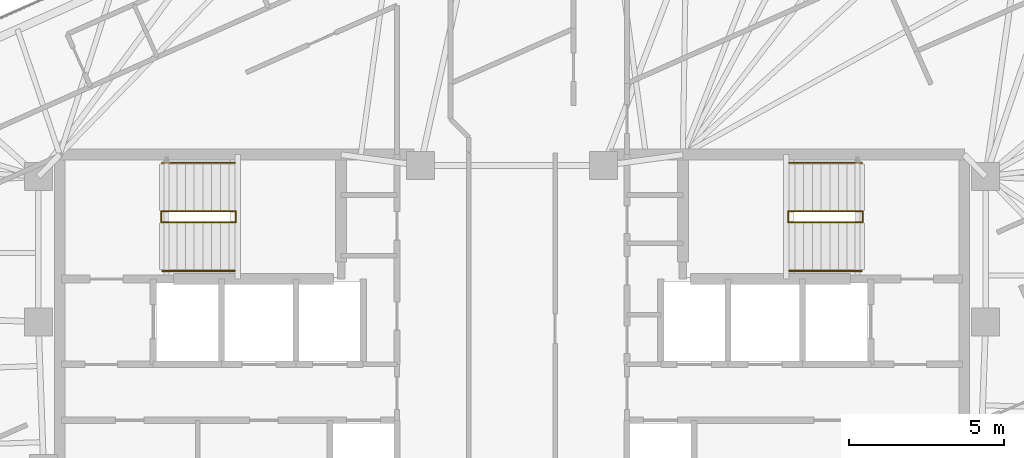
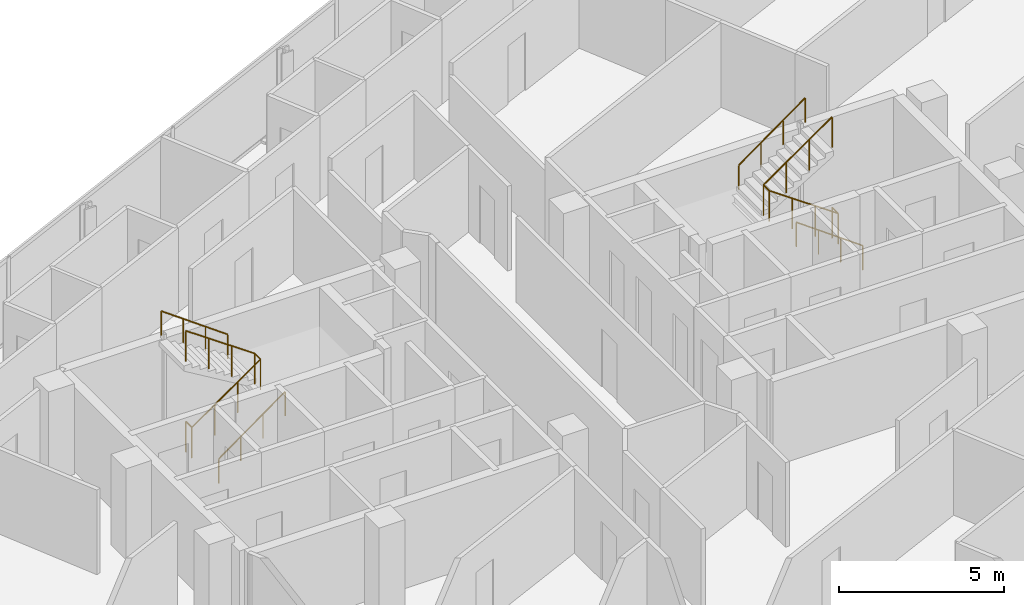
# One storey, part 19 of 19: 6 railings.
"""IFC4 building model written with IfcOpenShell, lengths in metres."""

from ifc_helpers import new_model, si_unit, direction, frame, origin, origin_2d, place, context, subcontext, project, spatial, circle, extrude, material, type_object, element, save


model = new_model("IFC4")

# Units and contexts
model_context = context("Model", 3, precision=1e-05, world=origin(), true_north=direction((0.0, 1.0)))
body_context = subcontext(model_context, "Body", "Model", "MODEL_VIEW")
ifc_project = project(units=[si_unit("LENGTHUNIT", "METRE"), si_unit("AREAUNIT", "SQUARE_METRE"), si_unit("VOLUMEUNIT", "CUBIC_METRE"), si_unit("PLANEANGLEUNIT", "RADIAN"), si_unit("MASSUNIT", "GRAM", prefix="KILO")], contexts=[model_context])

# Site, building, storey
site_placement = place(None, origin())
site = spatial("IfcSite", under=ifc_project, at=site_placement, CompositionType="ELEMENT")
building_placement = place(site_placement, origin())
building = spatial("IfcBuilding", under=site, at=building_placement, Name="Menara Jurai Vektor", CompositionType="ELEMENT")
storey_placement = place(building_placement, frame((0.0, 0.0, 265.550048828125)))
storey = spatial("IfcBuildingStorey", under=building, at=storey_placement, Name="L71", CompositionType="ELEMENT", Elevation=265.550048828125)

# Railings
ifc_material_1 = material(Name="Painted Galvanised Steel Balustrade", Category="steel")
railing_type_1 = type_object("IfcRailingType", Name="RAIL-STAIR-GUARD", PredefinedType="GUARDRAIL", material=ifc_material_1)
railing_1_placement = place(storey_placement, frame((-11.2900390625, 3.780029296875, 0.0)))
element("IfcRailing", 1, at=railing_1_placement, inside=storey, type_object=railing_type_1, Name="ST1 Stair Guardrail 1 L71", PredefinedType="GUARDRAIL", context=body_context, shape_type="SweptSolid", body=[
    extrude(circle(Radius=0.02392578125, at=origin_2d()), frame((0.0, 0.0, 1.1259765625), z_axis=(0.0, -1.0, 0.0), x_axis=(1.0, 0.0, 0.0)), (0.0, 0.0, 1.0), 0.360107421875),
    extrude(circle(Radius=0.02392578125, at=origin_2d()), frame((0.0, -0.360107421875, 1.1259765625), z_axis=(0.820042287322, 0.0, 0.572302932898), x_axis=(0.0, 1.0, 0.0)), (0.0, 0.0, 1.0), 2.9267578125),
    extrude(circle(Radius=0.02392578125, at=origin_2d()), frame((2.400146484375, -0.360107421875, 2.80078125), z_axis=(0.0, 1.0, 0.0), x_axis=(-1.0, 0.0, 0.0)), (0.0, 0.0, 1.0), 0.360107421875),
    extrude(circle(Radius=0.02392578125, at=origin_2d()), frame((2.400146484375, 0.0, 2.80078125), z_axis=(-0.820081434478, 0.0, 0.572246835573), x_axis=(0.0, -1.0, 0.0)), (0.0, 0.0, 1.0), 2.9267578125),
    extrude(circle(Radius=0.02099609375, at=origin_2d()), origin(), (0.0, 0.0, 1.0), 1.101806640625),
    extrude(circle(Radius=0.02099609375, at=origin_2d()), frame((0.0, -0.360107421875, 0.0)), (0.0, 0.0, 1.0), 1.101806640625),
    extrude(circle(Radius=0.02099609375, at=origin_2d()), frame((0.800048828125, -0.360107421875, 0.558349609375)), (0.0, 0.0, 1.0), 1.101806640625),
    extrude(circle(Radius=0.02099609375, at=origin_2d()), frame((1.60009765625, -0.360107421875, 1.11669921875)), (0.0, 0.0, 1.0), 1.101806640625),
    extrude(circle(Radius=0.02099609375, at=origin_2d()), frame((2.400146484375, -0.360107421875, 1.675048828125)), (0.0, 0.0, 1.0), 1.101806640625),
    extrude(circle(Radius=0.02099609375, at=origin_2d()), frame((2.400146484375, 0.0, 1.675048828125)), (0.0, 0.0, 1.0), 1.101806640625),
    extrude(circle(Radius=0.02099609375, at=origin_2d()), frame((1.60009765625, 0.0, 2.2333984375)), (0.0, 0.0, 1.0), 1.101806640625),
    extrude(circle(Radius=0.02099609375, at=origin_2d()), frame((0.800048828125, 0.0, 2.79150390625)), (0.0, 0.0, 1.0), 1.101806640625),
    extrude(circle(Radius=0.02099609375, at=origin_2d()), frame((0.0, 0.0, 3.349853515625)), (0.0, 0.0, 1.0), 1.101806640625),
])
railing_2_placement = place(storey_placement, frame((11.2900390625, 3.780029296875, 0.0)))
element("IfcRailing", 2, at=railing_2_placement, inside=storey, type_object=railing_type_1, Name="ST2 Stair Guardrail 1 L71", PredefinedType="GUARDRAIL", context=body_context, shape_type="SweptSolid", body=[
    extrude(circle(Radius=0.02392578125, at=origin_2d()), frame((0.0, 0.0, 1.1259765625), z_axis=(0.0, -1.0, 0.0), x_axis=(1.0, 0.0, 0.0)), (0.0, 0.0, 1.0), 0.360107421875),
    extrude(circle(Radius=0.02392578125, at=origin_2d()), frame((0.0, -0.360107421875, 1.1259765625), z_axis=(-0.820042287322, 0.0, 0.572302932898), x_axis=(0.0, -1.0, 0.0)), (0.0, 0.0, 1.0), 2.9267578125),
    extrude(circle(Radius=0.02392578125, at=origin_2d()), frame((-2.400146484375, -0.360107421875, 2.80078125), z_axis=(0.0, 1.0, 0.0), x_axis=(-1.0, 0.0, 0.0)), (0.0, 0.0, 1.0), 0.360107421875),
    extrude(circle(Radius=0.02392578125, at=origin_2d()), frame((-2.400146484375, 0.0, 2.80078125), z_axis=(0.820081434478, 0.0, 0.572246835573), x_axis=(0.0, 1.0, 0.0)), (0.0, 0.0, 1.0), 2.9267578125),
    extrude(circle(Radius=0.02099609375, at=origin_2d()), origin(), (0.0, 0.0, 1.0), 1.101806640625),
    extrude(circle(Radius=0.02099609375, at=origin_2d()), frame((0.0, -0.360107421875, 0.0)), (0.0, 0.0, 1.0), 1.101806640625),
    extrude(circle(Radius=0.02099609375, at=origin_2d()), frame((-0.800048828125, -0.360107421875, 0.558349609375)), (0.0, 0.0, 1.0), 1.101806640625),
    extrude(circle(Radius=0.02099609375, at=origin_2d()), frame((-1.60009765625, -0.360107421875, 1.11669921875)), (0.0, 0.0, 1.0), 1.101806640625),
    extrude(circle(Radius=0.02099609375, at=origin_2d()), frame((-2.400146484375, -0.360107421875, 1.675048828125)), (0.0, 0.0, 1.0), 1.101806640625),
    extrude(circle(Radius=0.02099609375, at=origin_2d()), frame((-2.400146484375, 0.0, 1.675048828125)), (0.0, 0.0, 1.0), 1.101806640625),
    extrude(circle(Radius=0.02099609375, at=origin_2d()), frame((-1.60009765625, 0.0, 2.2333984375)), (0.0, 0.0, 1.0), 1.101806640625),
    extrude(circle(Radius=0.02099609375, at=origin_2d()), frame((-0.800048828125, 0.0, 2.79150390625)), (0.0, 0.0, 1.0), 1.101806640625),
    extrude(circle(Radius=0.02099609375, at=origin_2d()), frame((0.0, 0.0, 3.349853515625)), (0.0, 0.0, 1.0), 1.101806640625),
])
ifc_material_2 = material(Name="Brushed Stainless Steel Handrail", Category="steel")
railing_type_2 = type_object("IfcRailingType", Name="RAIL-STAIR-HAND", PredefinedType="HANDRAIL", material=ifc_material_2)
railing_3_placement = place(storey_placement, frame((-11.25, 1.860107421875, 0.0)))
element("IfcRailing", 3, at=railing_3_placement, inside=storey, type_object=railing_type_2, Name="ST1 Stair Handrail 1 L71", PredefinedType="HANDRAIL", context=body_context, shape_type="SweptSolid", body=[
    extrude(circle(Radius=0.02392578125, at=origin_2d()), frame((0.0, 0.0, 0.89599609375), z_axis=(0.810771458067, 0.0, 0.585362830032), x_axis=(0.0, 1.0, 0.0)), (0.0, 0.0, 1.0), 2.861572265625),
    extrude(circle(Radius=0.02099609375, at=origin_2d()), origin(), (0.0, 0.0, 1.0), 0.871826171875),
    extrude(circle(Radius=0.02099609375, at=origin_2d()), frame((0.7734375, 0.0, 0.558349609375)), (0.0, 0.0, 1.0), 0.871826171875),
    extrude(circle(Radius=0.02099609375, at=origin_2d()), frame((1.546630859375, 0.0, 1.11669921875)), (0.0, 0.0, 1.0), 0.871826171875),
    extrude(circle(Radius=0.02099609375, at=origin_2d()), frame((2.320068359375, 0.0, 1.675048828125)), (0.0, 0.0, 1.0), 0.871826171875),
])
railing_4_placement = place(storey_placement, frame((-8.929931640625, 5.340087890625, 1.675048828125)))
element("IfcRailing", 4, at=railing_4_placement, inside=storey, type_object=railing_type_2, Name="ST1 Stair Handrail 2 L71", PredefinedType="HANDRAIL", context=body_context, shape_type="SweptSolid", body=[
    extrude(circle(Radius=0.02392578125, at=origin_2d()), frame((0.0, 0.0, 0.89599609375), z_axis=(-0.810811949412, 0.0, 0.585306742393), x_axis=(0.0, -1.0, 0.0)), (0.0, 0.0, 1.0), 2.861328125),
    extrude(circle(Radius=0.02099609375, at=origin_2d()), origin(), (0.0, 0.0, 1.0), 0.871826171875),
    extrude(circle(Radius=0.02099609375, at=origin_2d()), frame((-0.7734375, 0.0, 0.558349609375)), (0.0, 0.0, 1.0), 0.871826171875),
    extrude(circle(Radius=0.02099609375, at=origin_2d()), frame((-1.546630859375, 0.0, 1.116455078125)), (0.0, 0.0, 1.0), 0.871826171875),
    extrude(circle(Radius=0.02099609375, at=origin_2d()), frame((-2.320068359375, 0.0, 1.6748046875)), (0.0, 0.0, 1.0), 0.871826171875),
])
railing_5_placement = place(storey_placement, frame((11.25, 1.860107421875, 0.0)))
element("IfcRailing", 5, at=railing_5_placement, inside=storey, type_object=railing_type_2, Name="ST2 Stair Handrail 1 L71", PredefinedType="HANDRAIL", context=body_context, shape_type="SweptSolid", body=[
    extrude(circle(Radius=0.02392578125, at=origin_2d()), frame((0.0, 0.0, 0.89599609375), z_axis=(-0.810771458067, 0.0, 0.585362830032), x_axis=(0.0, -1.0, 0.0)), (0.0, 0.0, 1.0), 2.861572265625),
    extrude(circle(Radius=0.02099609375, at=origin_2d()), origin(), (0.0, 0.0, 1.0), 0.871826171875),
    extrude(circle(Radius=0.02099609375, at=origin_2d()), frame((-0.7734375, 0.0, 0.558349609375)), (0.0, 0.0, 1.0), 0.871826171875),
    extrude(circle(Radius=0.02099609375, at=origin_2d()), frame((-1.546630859375, 0.0, 1.11669921875)), (0.0, 0.0, 1.0), 0.871826171875),
    extrude(circle(Radius=0.02099609375, at=origin_2d()), frame((-2.320068359375, 0.0, 1.675048828125)), (0.0, 0.0, 1.0), 0.871826171875),
])
railing_6_placement = place(storey_placement, frame((8.929931640625, 5.340087890625, 1.675048828125)))
element("IfcRailing", 6, at=railing_6_placement, inside=storey, type_object=railing_type_2, Name="ST2 Stair Handrail 2 L71", PredefinedType="HANDRAIL", context=body_context, shape_type="SweptSolid", body=[
    extrude(circle(Radius=0.02392578125, at=origin_2d()), frame((0.0, 0.0, 0.89599609375), z_axis=(0.810811949412, 0.0, 0.585306742393), x_axis=(0.0, 1.0, 0.0)), (0.0, 0.0, 1.0), 2.861328125),
    extrude(circle(Radius=0.02099609375, at=origin_2d()), origin(), (0.0, 0.0, 1.0), 0.871826171875),
    extrude(circle(Radius=0.02099609375, at=origin_2d()), frame((0.7734375, 0.0, 0.558349609375)), (0.0, 0.0, 1.0), 0.871826171875),
    extrude(circle(Radius=0.02099609375, at=origin_2d()), frame((1.546630859375, 0.0, 1.116455078125)), (0.0, 0.0, 1.0), 0.871826171875),
    extrude(circle(Radius=0.02099609375, at=origin_2d()), frame((2.320068359375, 0.0, 1.6748046875)), (0.0, 0.0, 1.0), 0.871826171875),
])

save(model, "model.ifc")
